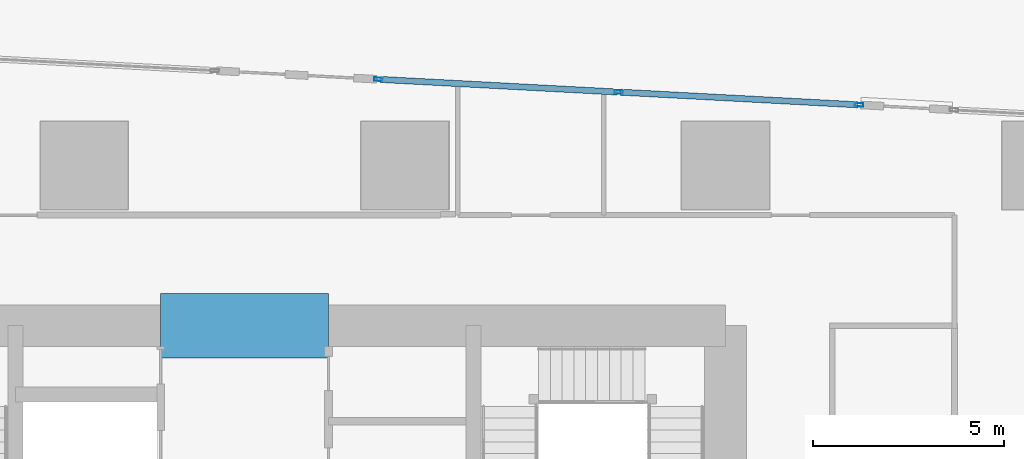
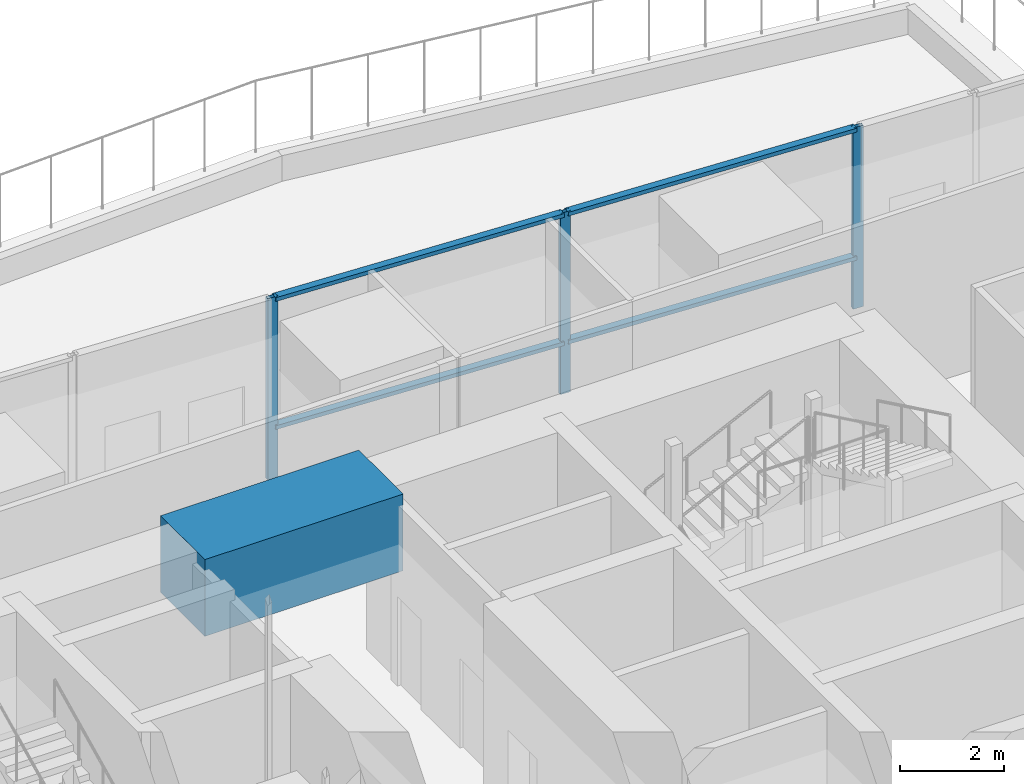
# One storey, part 11 of 39: 7 members, 1 beam, 1 element without a shape of its own.
"""IFC4 building model written with IfcOpenShell, lengths in metres."""

import ifcopenshell
import ifcopenshell.guid

model = None  # the IFC model being written
_history = None  # IfcOwnerHistory: only IFC2X3 demands one
_inside = {}  # id of a spatial element -> (the spatial element, [elements in it])
_under = {}  # id of a project, library or spatial element -> (it, [spatial elements below it])
_declared = {}  # id of a project -> (the project, [libraries it declares])
_typed = {}  # id of a type object -> (the type object, [elements of that type])
_made_of = {}  # id of a material, layer set ... -> (it, [elements and type objects made of it])


def new_model(schema):
    """Start an empty IFC model of exactly this schema.

    Asked for "IFC4X3", IfcOpenShell would pick the latest addendum, in which some entities
    have other attributes; the version numbers below select the first issue.
    IFC2X3 requires an IfcOwnerHistory on every rooted entity: one is made here for all.
    """
    global model, _history
    if schema == "IFC4X3":
        model = ifcopenshell.file(schema_version=(4, 3, 0, 0))
    else:
        model = ifcopenshell.file(schema=schema)
    _inside.clear()
    _under.clear()
    _declared.clear()
    _typed.clear()
    _made_of.clear()
    _history = None
    if model.schema == "IFC2X3":
        org = make("IfcOrganization", Name="unknown")
        user = make(
            "IfcPersonAndOrganization",
            ThePerson=make("IfcPerson", FamilyName="unknown"),
            TheOrganization=org,
        )
        app = make(
            "IfcApplication",
            ApplicationDeveloper=org,
            Version="unknown",
            ApplicationFullName="unknown",
            ApplicationIdentifier="unknown",
        )
        _history = make(
            "IfcOwnerHistory",
            OwningUser=user,
            OwningApplication=app,
            ChangeAction="ADDED",
            CreationDate=0,
        )
    return model


def make(cls, **values):
    """One entity of the class cls with the attributes given. An attribute that is None is left unset."""
    return model.create_entity(
        cls, **{name: value for name, value in values.items() if value is not None}
    )


def rooted(cls, **values):
    """An entity with a GlobalId (a new one), such as an element, a storey or a relation."""
    return make(cls, GlobalId=ifcopenshell.guid.new(), OwnerHistory=_history, **values)


def si_unit(unit_type, name, prefix=None):
    """IfcSIUnit, for example si_unit("LENGTHUNIT", "METRE", prefix="MILLI")."""
    return make("IfcSIUnit", UnitType=unit_type, Prefix=prefix, Name=name)


def assignment(units):
    """IfcUnitAssignment: the units of a project."""
    return None if units is None else make("IfcUnitAssignment", Units=units)


def point(xyz):
    """IfcCartesianPoint."""
    return None if xyz is None else make("IfcCartesianPoint", Coordinates=xyz)


def direction(xyz):
    """IfcDirection."""
    return None if xyz is None else make("IfcDirection", DirectionRatios=xyz)


def frame(location, z_axis=None, x_axis=None):
    """IfcAxis2Placement3D, a coordinate frame: its origin and axes. An axis left out is left unset."""
    return make(
        "IfcAxis2Placement3D",
        Location=point(location),
        Axis=direction(z_axis),
        RefDirection=direction(x_axis),
    )


def frame_2d(location, x_axis=None):
    """IfcAxis2Placement2D, a coordinate frame in the plane: its origin and x axis."""
    return make(
        "IfcAxis2Placement2D", Location=point(location), RefDirection=direction(x_axis)
    )


def origin():
    """The frame at (0, 0, 0) with its axes left unset."""
    return frame((0.0, 0.0, 0.0))


def origin_2d():
    """The frame at (0, 0) in the plane with its x axis left unset."""
    return frame_2d((0.0, 0.0))


def place(relative_to, where):
    """IfcLocalPlacement: puts the frame where relative to a parent placement (None: the world)."""
    return make(
        "IfcLocalPlacement", PlacementRelTo=relative_to, RelativePlacement=where
    )


def context(
    kind, dimensions, precision=None, world=None, true_north=None, identifier=None
):
    """IfcGeometricRepresentationContext, for example the 3D "Model" context."""
    return make(
        "IfcGeometricRepresentationContext",
        ContextIdentifier=identifier,
        ContextType=kind,
        CoordinateSpaceDimension=dimensions,
        Precision=precision,
        WorldCoordinateSystem=world,
        TrueNorth=true_north,
    )


def subcontext(parent, identifier, kind, view, scale=None):
    """IfcGeometricRepresentationSubContext, for example "Body" below "Model"."""
    return make(
        "IfcGeometricRepresentationSubContext",
        ContextIdentifier=identifier,
        ContextType=kind,
        ParentContext=parent,
        TargetScale=scale,
        TargetView=view,
    )


def project(units=None, contexts=None):
    """IfcProject with its units and contexts."""
    return rooted(
        "IfcProject",
        Name="project",
        RepresentationContexts=contexts,
        UnitsInContext=assignment(units),
    )


def spatial(cls, under=None, at=None, **own):
    """A site, building, storey or space (cls), placed at a placement, below another one or the project."""
    s = rooted(cls, ObjectPlacement=at, **own)
    if under is not None:
        _under.setdefault(under.id(), (under, []))[1].append(s)
    return s


def profile(cls, at=None, kind="AREA", **sizes):
    """A parametric profile (cls). Its sizes go by their IFC names, for example OverallWidth=200.0."""
    return make(cls, ProfileType=kind, Position=at, **sizes)


def rectangle(**sizes):
    """IfcRectangleProfileDef."""
    return profile("IfcRectangleProfileDef", **sizes)


def hollow_rectangle(**sizes):
    """IfcRectangleHollowProfileDef."""
    return profile("IfcRectangleHollowProfileDef", **sizes)


def extrude(swept, where, along, depth):
    """IfcExtrudedAreaSolid: the profile swept, set in the frame where, extruded along a direction by depth."""
    return make(
        "IfcExtrudedAreaSolid",
        SweptArea=swept,
        Position=where,
        ExtrudedDirection=direction(along),
        Depth=depth,
    )


def shape(context_of_items, identifier, shape_type, items):
    """IfcShapeRepresentation: the items that make up one representation, for example the "Body"."""
    return make(
        "IfcShapeRepresentation",
        ContextOfItems=context_of_items,
        RepresentationIdentifier=identifier,
        RepresentationType=shape_type,
        Items=items,
    )


def material(Name=None, Category=None):
    """IfcMaterial."""
    return make("IfcMaterial", Name=Name, Category=Category)


def material_profile(
    of_material, cross_section, Name=None, Category=None, Priority=None
):
    """IfcMaterialProfile: a cross section and its material."""
    return make(
        "IfcMaterialProfile",
        Name=Name,
        Material=of_material,
        Profile=cross_section,
        Priority=Priority,
        Category=Category,
    )


def profile_set(profiles, Name=None, composite=None):
    """IfcMaterialProfileSet."""
    return make(
        "IfcMaterialProfileSet",
        Name=Name,
        MaterialProfiles=profiles,
        CompositeProfile=composite,
    )


def made_of(thing, what):
    """Note that an element or type object is made of a material, layer set ...; save() writes the relation."""
    if what is not None:
        _made_of.setdefault(what.id(), (what, []))[1].append(thing)
    return thing


def type_object(cls, material=None, **own):
    """A type object (cls), such as IfcWallType, which elements share."""
    return made_of(rooted(cls, **own), material)


def element(
    cls,
    number,
    at=None,
    inside=None,
    cuts=None,
    type_object=None,
    material=None,
    context=None,
    identifier="Body",
    shape_type=None,
    held_by="IfcProductDefinitionShape",
    body=None,
    shapes=None,
    **own,
):
    """One element of the class cls, such as IfcWall. Its Tag is "e" and its number.

    at: its placement. inside: the storey or other place that contains it. cuts: it is an
    opening in that element (IfcRelVoidsElement). A single representation is given by context,
    identifier, shape_type and body (its items); several are given by shapes. held_by: the class
    of the entity that holds the representations. save() writes the other relations.
    """
    e = rooted(cls, Tag="e%d" % number, ObjectPlacement=at, **own)
    if body is not None:
        shapes = [shape(context, identifier, shape_type, body)]
    if shapes is not None:
        e.Representation = make(held_by, Representations=shapes)
    if inside is not None:
        _inside.setdefault(inside.id(), (inside, []))[1].append(e)
    if cuts is not None:
        rooted(
            "IfcRelVoidsElement", RelatingBuildingElement=cuts, RelatedOpeningElement=e
        )
    if type_object is not None:
        _typed.setdefault(type_object.id(), (type_object, []))[1].append(e)
    return made_of(e, material)


def aggregate(whole, parts):
    """IfcRelAggregates: a whole, such as a stair, and the parts it consists of."""
    return rooted("IfcRelAggregates", RelatingObject=whole, RelatedObjects=parts)


def save(model, path):
    """Write the relations noted so far, then the file.

    IfcRelAggregates (storeys below a building ...), IfcRelContainedInSpatialStructure (elements
    in a storey), IfcRelDefinesByType, IfcRelAssociatesMaterial and IfcRelDeclares: one each for
    every whole, place, type object, material and project.
    """
    for whole, parts in _under.values():
        aggregate(whole, parts)
    for where, things in _inside.values():
        rooted(
            "IfcRelContainedInSpatialStructure",
            RelatedElements=things,
            RelatingStructure=where,
        )
    for kind, things in _typed.values():
        rooted("IfcRelDefinesByType", RelatedObjects=things, RelatingType=kind)
    for what, things in _made_of.values():
        rooted("IfcRelAssociatesMaterial", RelatedObjects=things, RelatingMaterial=what)
    for by, libraries in _declared.values():
        rooted("IfcRelDeclares", RelatingContext=by, RelatedDefinitions=libraries)
    model.write(path)


model = new_model("IFC4")

# Units and contexts
model_context = context("Model", 3, precision=1e-05, world=origin(), true_north=direction((0.0, 1.0)))
body_context = subcontext(model_context, "Body", "Model", "MODEL_VIEW")
ifc_project = project(units=[si_unit("LENGTHUNIT", "METRE"), si_unit("AREAUNIT", "SQUARE_METRE"), si_unit("VOLUMEUNIT", "CUBIC_METRE"), si_unit("PLANEANGLEUNIT", "RADIAN"), si_unit("MASSUNIT", "GRAM", prefix="KILO")], contexts=[model_context])

# Site, building, storey
site_placement = place(None, origin())
site = spatial("IfcSite", under=ifc_project, at=site_placement, CompositionType="ELEMENT")
building_placement = place(site_placement, origin())
building = spatial("IfcBuilding", under=site, at=building_placement, Name="Rekha Terrace Tower", CompositionType="ELEMENT")
storey_placement = place(building_placement, frame((0.0, 0.0, 245.60009765625)))
storey = spatial("IfcBuildingStorey", under=building, at=storey_placement, Name="L62", CompositionType="ELEMENT", Elevation=245.60009765625)

# Curtain wall, members
ifc_material_1 = material(Name="Aluminium framing", Category="aluminium")
curtain_wall_type = type_object("IfcCurtainWallType", Name="CW5 sky garden glazing", PredefinedType="USERDEFINED", material=ifc_material_1)
curtain_wall_placement = place(storey_placement, origin())
curtain_wall = element("IfcCurtainWall", 1, at=curtain_wall_placement, inside=storey, type_object=curtain_wall_type, Name="CW5 sky garden curtain wall", ObjectType="SKY GARDEN CURTAIN WALL", PredefinedType="USERDEFINED")
ifc_material_2 = material(Name="Aluminium mullion section", Category="aluminium")
ifc_material_profile_1 = material_profile(ifc_material_2, hollow_rectangle(XDim=0.090087890625, YDim=0.219970703125, WallThickness=0.00390625, at=origin_2d()), Name="AL RHS 90x220")
ifc_profile_set_1 = profile_set([ifc_material_profile_1], Name="Aluminium mullion section")
member_type_1 = type_object("IfcMemberType", Name="CW5 mullion RHS 90 x 220", PredefinedType="MULLION", material=ifc_profile_set_1)
member_1_placement = place(storey_placement, frame((53.9033203125, 51.987060546875, 0.0), z_axis=(0.0, 0.0, 1.0), x_axis=(-0.053083275506, -0.998590089006, 0.0)))
member_1 = element("IfcMember", 2, at=member_1_placement, type_object=member_type_1, Name="CW5 mullion 1", PredefinedType="MULLION", context=body_context, shape_type="SweptSolid", body=[
    extrude(hollow_rectangle(XDim=0.090087890625, YDim=0.219970703125, WallThickness=0.00390625, at=origin_2d()), origin(), (0.0, 0.0, 1.0), 4.25),
])
member_2_placement = place(storey_placement, frame((47.604248046875, 52.322021484375, 0.0), z_axis=(0.0, 0.0, 1.0), x_axis=(-0.053083275506, -0.998590089006, 0.0)))
member_2 = element("IfcMember", 3, at=member_2_placement, type_object=member_type_1, Name="CW5 mullion 2", PredefinedType="MULLION", context=body_context, shape_type="SweptSolid", body=[
    extrude(hollow_rectangle(XDim=0.090087890625, YDim=0.219970703125, WallThickness=0.00390625, at=origin_2d()), origin(), (0.0, 0.0, 1.0), 4.25),
])
member_3_placement = place(storey_placement, frame((41.30517578125, 52.65673828125, 0.0), z_axis=(0.0, 0.0, 1.0), x_axis=(-0.053083275506, -0.998590089006, 0.0)))
member_3 = element("IfcMember", 4, at=member_3_placement, type_object=member_type_1, Name="CW5 mullion 3", PredefinedType="MULLION", context=body_context, shape_type="SweptSolid", body=[
    extrude(hollow_rectangle(XDim=0.090087890625, YDim=0.219970703125, WallThickness=0.00390625, at=origin_2d()), origin(), (0.0, 0.0, 1.0), 4.25),
])
ifc_material_3 = material(Name="Aluminium transom section", Category="aluminium")
ifc_material_profile_2 = material_profile(ifc_material_3, hollow_rectangle(XDim=0.159912109375, YDim=0.090087890625, WallThickness=0.0029296875, at=origin_2d()), Name="AL RHS 160x90")
ifc_profile_set_2 = profile_set([ifc_material_profile_2], Name="Aluminium transom section")
member_type_2 = type_object("IfcMemberType", Name="CW5 transom RHS 90 x 160", PredefinedType="USERDEFINED", material=ifc_profile_set_2)
member_4_placement = place(storey_placement, frame((53.8583984375, 51.989501953125, 1.199951171875), z_axis=(-0.998590033035, 0.053084328418, 0.0), x_axis=(-0.053084328418, -0.998590033035, 0.0)))
member_4 = element("IfcMember", 5, at=member_4_placement, type_object=member_type_2, Name="CW5 transom 1.2", ObjectType="TRANSOM", PredefinedType="USERDEFINED", context=body_context, shape_type="SweptSolid", body=[
    extrude(hollow_rectangle(XDim=0.159912109375, YDim=0.090087890625, WallThickness=0.0029296875, at=origin_2d()), origin(), (0.0, 0.0, 1.0), 6.218017578125),
])
member_5_placement = place(storey_placement, frame((53.8583984375, 51.989501953125, 4.204833984375), z_axis=(-0.998590033035, 0.053084328418, 0.0), x_axis=(-0.053084328418, -0.998590033035, 0.0)))
member_5 = element("IfcMember", 6, at=member_5_placement, type_object=member_type_2, Name="CW5 transom 1.3", ObjectType="TRANSOM", PredefinedType="USERDEFINED", context=body_context, shape_type="SweptSolid", body=[
    extrude(hollow_rectangle(XDim=0.159912109375, YDim=0.090087890625, WallThickness=0.0029296875, at=origin_2d()), origin(), (0.0, 0.0, 1.0), 6.218017578125),
])
member_6_placement = place(storey_placement, frame((47.559326171875, 52.32421875, 1.199951171875), z_axis=(-0.998590033035, 0.053084328418, 0.0), x_axis=(-0.053084328418, -0.998590033035, 0.0)))
member_6 = element("IfcMember", 7, at=member_6_placement, type_object=member_type_2, Name="CW5 transom 2.2", ObjectType="TRANSOM", PredefinedType="USERDEFINED", context=body_context, shape_type="SweptSolid", body=[
    extrude(hollow_rectangle(XDim=0.159912109375, YDim=0.090087890625, WallThickness=0.0029296875, at=origin_2d()), origin(), (0.0, 0.0, 1.0), 6.218017578125),
])
member_7_placement = place(storey_placement, frame((47.559326171875, 52.32421875, 4.204833984375), z_axis=(-0.998590033035, 0.053084328418, 0.0), x_axis=(-0.053084328418, -0.998590033035, 0.0)))
member_7 = element("IfcMember", 8, at=member_7_placement, type_object=member_type_2, Name="CW5 transom 2.3", ObjectType="TRANSOM", PredefinedType="USERDEFINED", context=body_context, shape_type="SweptSolid", body=[
    extrude(hollow_rectangle(XDim=0.159912109375, YDim=0.090087890625, WallThickness=0.0029296875, at=origin_2d()), origin(), (0.0, 0.0, 1.0), 6.218017578125),
])
aggregate(curtain_wall, [member_1, member_2, member_3, member_4, member_5, member_6, member_7])

# Beam
ifc_material_4 = material(Name="Concrete M60", Category="concrete")
ifc_material_profile_3 = material_profile(ifc_material_4, rectangle(XDim=1.699951171875, YDim=1.800048828125, at=origin_2d()), Name="RC 1700x1800")
ifc_profile_set_3 = profile_set([ifc_material_profile_3], Name="Concrete M60")
beam_type = type_object("IfcBeamType", Name="LB4B 1700x1800 diagonally reinforced coupling beam", PredefinedType="LINTEL", material=ifc_profile_set_3)
beam_placement = place(storey_placement, frame((35.60009765625, 46.199951171875, 3.599853515625), z_axis=(1.0, 0.0, 0.0), x_axis=(0.0, 1.0, 0.0)))
element("IfcBeam", 9, at=beam_placement, inside=storey, type_object=beam_type, Name="Coupling beam LB4B N L62", PredefinedType="LINTEL", context=body_context, shape_type="SweptSolid", body=[
    extrude(rectangle(XDim=1.699951171875, YDim=1.800048828125, at=origin_2d()), origin(), (0.0, 0.0, 1.0), 4.39990234375),
])

save(model, "model.ifc")
